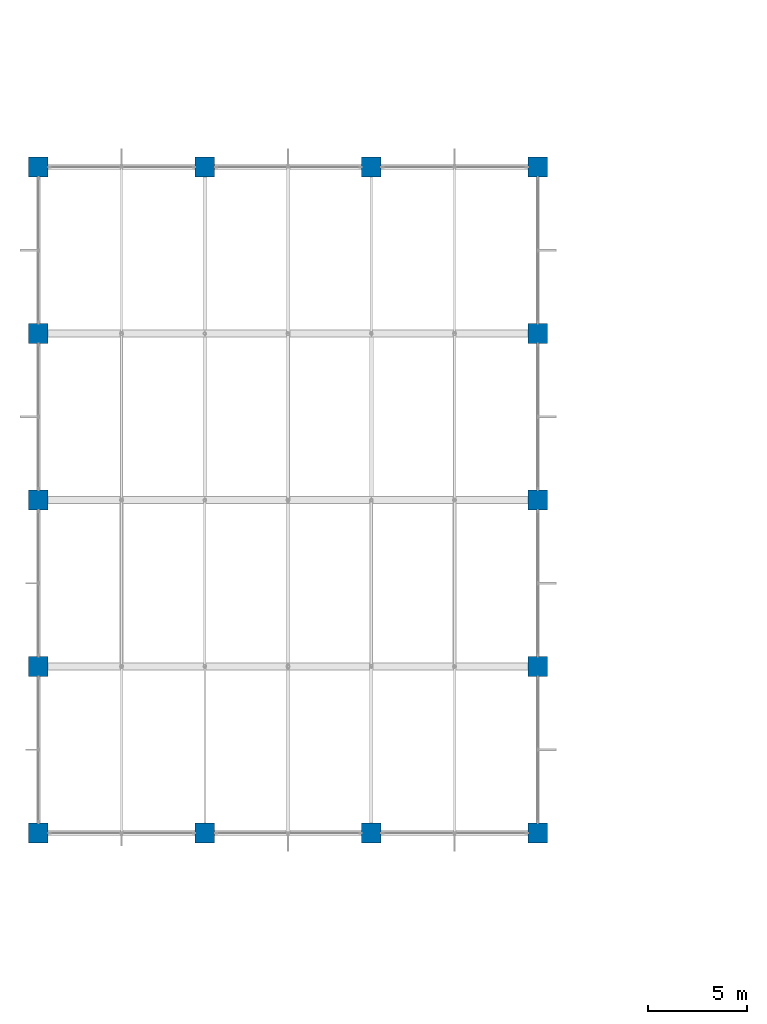
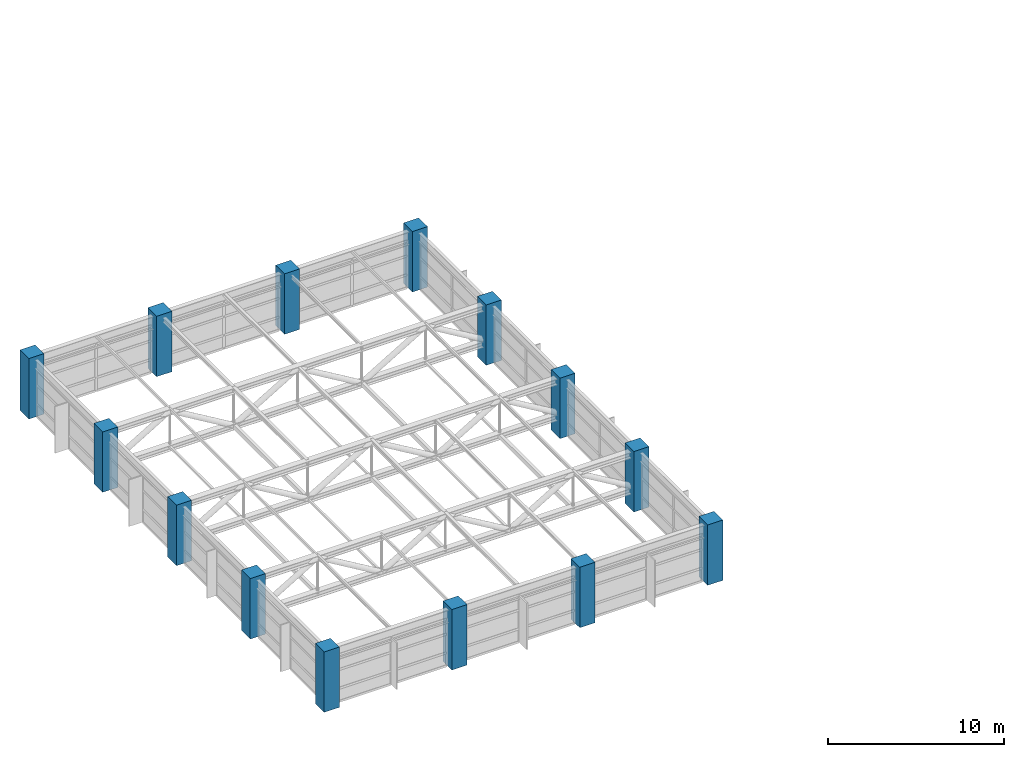
# One storey, part 1 of 32: 14 columns.
"""IFC4 building model written with IfcOpenShell, lengths in metres."""

from ifc_helpers import new_model, si_unit, direction, frame, origin, origin_2d, place, context, subcontext, project, spatial, rectangle, extrude, material, material_profile, profile_set, type_object, element, save


model = new_model("IFC4")

# Units and contexts
model_context = context("Model", 3, precision=1e-05, world=origin(), true_north=direction((0.0, 1.0)))
body_context = subcontext(model_context, "Body", "Model", "MODEL_VIEW")
ifc_project = project(units=[si_unit("LENGTHUNIT", "METRE"), si_unit("AREAUNIT", "SQUARE_METRE"), si_unit("VOLUMEUNIT", "CUBIC_METRE"), si_unit("PLANEANGLEUNIT", "RADIAN"), si_unit("MASSUNIT", "GRAM", prefix="KILO")], contexts=[model_context])

# Site, building, storey
site_placement = place(None, origin())
site = spatial("IfcSite", under=ifc_project, at=site_placement, CompositionType="ELEMENT")
building_placement = place(site_placement, origin())
building = spatial("IfcBuilding", under=site, at=building_placement, Name="Xuanlan Plaza Opera House", CompositionType="ELEMENT")
storey_placement = place(building_placement, frame((0.0, 0.0, 40.5)))
storey = spatial("IfcBuildingStorey", under=building, at=storey_placement, Name="L09", CompositionType="ELEMENT", Elevation=40.5)

# Columns
ifc_material = material(Name="Concrete C50", Category="concrete")
ifc_material_profile = material_profile(ifc_material, rectangle(XDim=1.0, YDim=1.0, at=origin_2d()), Name="RC-COL 1000x1000")
ifc_profile_set = profile_set([ifc_material_profile], Name="Concrete C50")
column_type = type_object("IfcColumnType", Name="STR-COL-C-04", PredefinedType="COLUMN", material=ifc_profile_set)
for number, where, z_axis, x_axis, name in (
    (1, (42.0, 42.0, 0.0), (0.0, 0.0, 1.0), (1.0, 0.0, 0.0), "Fly Tower Column L09 6-F"),
    (2, (42.0, 50.39990234375, 0.0), (0.0, 0.0, 1.0), (1.0, 0.0, 0.0), "Fly Tower Column L09 6-G"),
    (3, (42.0, 58.800048828125, 0.0), (0.0, 0.0, 1.0), (1.0, 0.0, 0.0), "Fly Tower Column L09 6-H"),
    (4, (42.0, 67.199951171875, 0.0), (0.0, 0.0, 1.0), (1.0, 0.0, 0.0), "Fly Tower Column L09 6-I"),
    (5, (42.0, 75.60009765625, 0.0), (0.0, 0.0, 1.0), (1.0, 0.0, 0.0), "Fly Tower Column L09 6-J"),
    (6, (50.39990234375, 42.0, 0.0), (0.0, 0.0, 1.0), (1.0, 0.0, 0.0), "Fly Tower Column L09 7-F"),
    (7, (50.39990234375, 75.60009765625, 0.0), (0.0, 0.0, 1.0), (1.0, 0.0, 0.0), "Fly Tower Column L09 7-J"),
    (8, (58.800048828125, 42.0, 0.0), (0.0, 0.0, 1.0), (1.0, 0.0, 0.0), "Fly Tower Column L09 8-F"),
    (9, (58.800048828125, 75.60009765625, 0.0), (0.0, 0.0, 1.0), (1.0, 0.0, 0.0), "Fly Tower Column L09 8-J"),
    (10, (67.199951171875, 42.0, 0.0), (0.0, 0.0, 1.0), (1.0, 0.0, 0.0), "Fly Tower Column L09 9-F"),
    (11, (67.199951171875, 50.39990234375, 0.0), (0.0, 0.0, 1.0), (1.0, 0.0, 0.0), "Fly Tower Column L09 9-G"),
    (12, (67.199951171875, 58.800048828125, 0.0), (0.0, 0.0, 1.0), (1.0, 0.0, 0.0), "Fly Tower Column L09 9-H"),
    (13, (67.199951171875, 67.199951171875, 0.0), (0.0, 0.0, 1.0), (1.0, 0.0, 0.0), "Fly Tower Column L09 9-I"),
    (14, (67.199951171875, 75.60009765625, 0.0), (0.0, 0.0, 1.0), (1.0, 0.0, 0.0), "Fly Tower Column L09 9-J"),
):
    element("IfcColumn", number, at=place(storey_placement, frame(where, z_axis=z_axis, x_axis=x_axis)), inside=storey, type_object=column_type, Name=name, PredefinedType="COLUMN", context=body_context, shape_type="SweptSolid", body=[
        extrude(rectangle(XDim=1.0, YDim=1.0, at=origin_2d()), origin(), (0.0, 0.0, 1.0), 4.199951171875),
    ])

save(model, "model.ifc")
